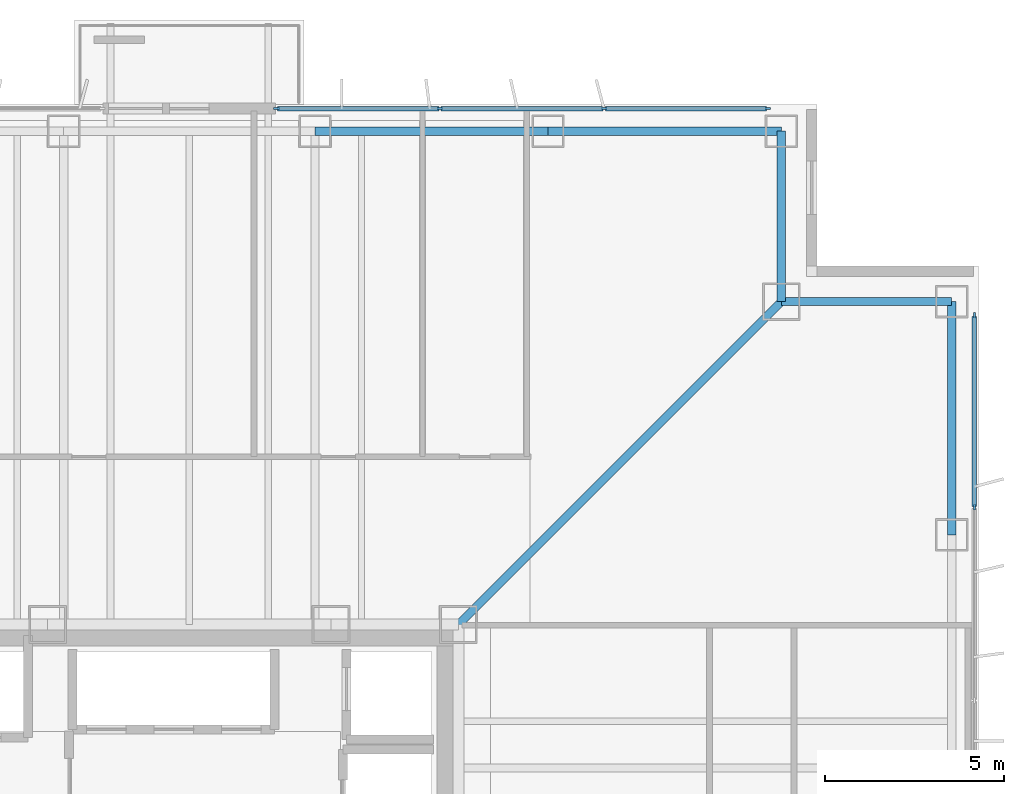
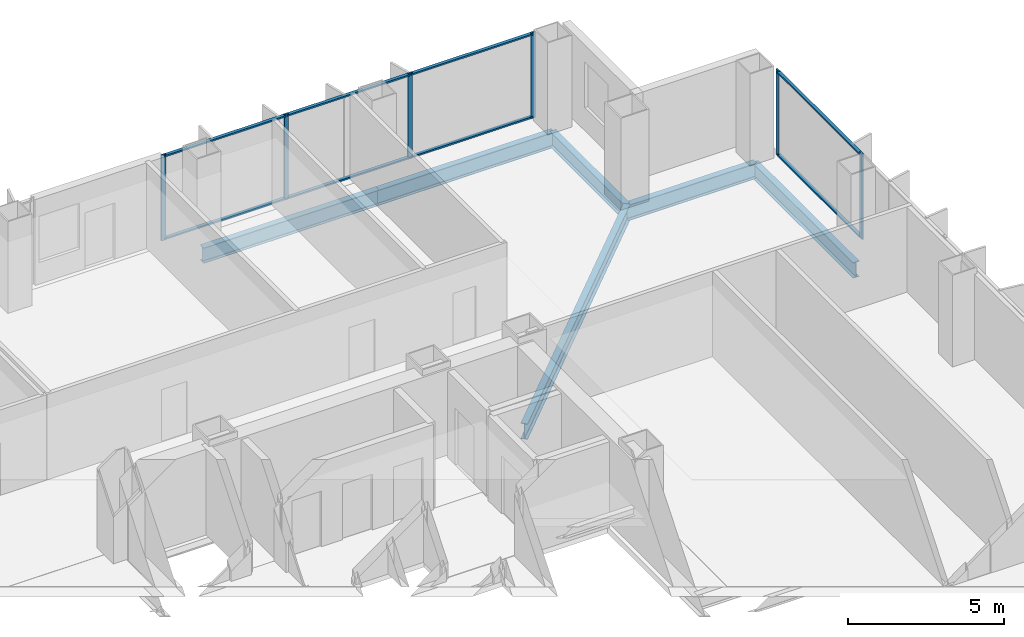
# One storey, part 8 of 15: 14 members, 6 beams, 2 elements without a shape of their own.
"""IFC4 building model written with IfcOpenShell, lengths in metres."""

from ifc_helpers import new_model, si_unit, direction, frame, origin, origin_2d, place, context, subcontext, project, spatial, rectangle, i_section, extrude, material, layer, layer_set, material_profile, profile_set, type_object, element, aggregate, save


model = new_model("IFC4")

# Units and contexts
model_context = context("Model", 3, precision=1e-05, world=origin(), true_north=direction((0.0, 1.0)))
body_context = subcontext(model_context, "Body", "Model", "MODEL_VIEW")
ifc_project = project(units=[si_unit("LENGTHUNIT", "METRE"), si_unit("AREAUNIT", "SQUARE_METRE"), si_unit("VOLUMEUNIT", "CUBIC_METRE"), si_unit("PLANEANGLEUNIT", "RADIAN"), si_unit("MASSUNIT", "GRAM", prefix="KILO")], contexts=[model_context])

# Site, building, storey
site_placement = place(None, origin())
site = spatial("IfcSite", under=ifc_project, at=site_placement, CompositionType="ELEMENT")
building_placement = place(site_placement, origin())
building = spatial("IfcBuilding", under=site, at=building_placement, Name="Trevonay Congress Spire", CompositionType="ELEMENT")
storey_placement = place(building_placement, frame((0.0, 0.0, 115.60009765625)))
storey = spatial("IfcBuildingStorey", under=building, at=storey_placement, Name="L29", CompositionType="ELEMENT", Elevation=115.60009765625)

# Beams
ifc_material_1 = material(Name="Steel ASTM A572 Grade 50", Category="steel")
ifc_material_profile_1 = material_profile(ifc_material_1, i_section(OverallWidth=0.22998046875, OverallDepth=0.616943359375, WebThickness=0.01318359375, FlangeThickness=0.022216796875, FilletRadius=0.01611328125, at=origin_2d()), Name="W610x140")
ifc_profile_set_1 = profile_set([ifc_material_profile_1], Name="Steel ASTM A572 Grade 50")
beam_type_1 = type_object("IfcBeamType", Name="BM-GIRD-W610X140", PredefinedType="BEAM", material=ifc_profile_set_1)
beam_placement = place(storey_placement, frame((7.5, 7.5, -0.548583984375), z_axis=(0.707106781187, 0.707106781187, 0.0), x_axis=(-0.707106781187, 0.707106781187, 0.0)))
element("IfcBeam", 1, at=beam_placement, inside=storey, type_object=beam_type_1, Name="L29 structural beam BM-L29-CDNE", PredefinedType="BEAM", context=body_context, shape_type="SweptSolid", body=[
    extrude(i_section(OverallWidth=0.22998046875, OverallDepth=0.616943359375, WebThickness=0.01318359375, FlangeThickness=0.022216796875, FilletRadius=0.01611328125, at=origin_2d()), origin(), (0.0, 0.0, 1.0), 12.72802734375),
])
ifc_material_profile_2 = material_profile(ifc_material_1, i_section(OverallWidth=0.22802734375, OverallDepth=0.60791015625, WebThickness=0.01123046875, FlangeThickness=0.017333984375, FilletRadius=0.01611328125, at=origin_2d()), Name="W610x113")
ifc_profile_set_2 = profile_set([ifc_material_profile_2], Name="Steel ASTM A572 Grade 50")
beam_type_2 = type_object("IfcBeamType", Name="BM-RING-W610X113", PredefinedType="BEAM", material=ifc_profile_set_2)
for number, where, z_axis, x_axis, name in (
    (2, (3.5, 21.25, -0.544189453125), (1.0, 0.0, 0.0), (0.0, 1.0, 0.0), "L29 structural beam BM-L29-PN4"),
    (3, (10.0, 21.25, -0.544189453125), (1.0, 0.0, 0.0), (0.0, 1.0, 0.0), "L29 structural beam BM-L29-PN5"),
    (4, (21.25, 10.0, -0.544189453125), (0.0, 1.0, 0.0), (-1.0, 0.0, 0.0), "L29 structural beam BM-L29-PE5"),
):
    element("IfcBeam", number, at=place(storey_placement, frame(where, z_axis=z_axis, x_axis=x_axis)), inside=storey, type_object=beam_type_2, Name=name, PredefinedType="BEAM", context=body_context, shape_type="SweptSolid", body=[
        extrude(i_section(OverallWidth=0.22802734375, OverallDepth=0.60791015625, WebThickness=0.01123046875, FlangeThickness=0.017333984375, FilletRadius=0.01611328125, at=origin_2d()), origin(), (0.0, 0.0, 1.0), 6.5),
    ])
for number, where, z_axis, x_axis, name in (
    (5, (16.5, 21.25, -0.544189453125), (0.0, -1.0, 0.0), (1.0, 0.0, 0.0), "L29 structural beam BM-L29-N1NE"),
    (6, (21.25, 16.5, -0.544189453125), (-1.0, 0.0, 0.0), (0.0, -1.0, 0.0), "L29 structural beam BM-L29-N2NE"),
):
    element("IfcBeam", number, at=place(storey_placement, frame(where, z_axis=z_axis, x_axis=x_axis)), inside=storey, type_object=beam_type_2, Name=name, PredefinedType="BEAM", context=body_context, shape_type="SweptSolid", body=[
        extrude(i_section(OverallWidth=0.22802734375, OverallDepth=0.60791015625, WebThickness=0.01123046875, FlangeThickness=0.017333984375, FilletRadius=0.01611328125, at=origin_2d()), origin(), (0.0, 0.0, 1.0), 4.75),
    ])

# Curtain wall, members
ifc_material_2 = material(Name="Pale Anodised Aluminium EN AW-6063-T6", Category="aluminium")
ifc_layer = layer(ifc_material_2, 0.175048828125, Name="Pale Anodised Aluminium EN AW-6063-T6")
ifc_layer_set = layer_set([ifc_layer], Name="Pale Anodised Aluminium EN AW-6063-T6")
curtain_wall_type = type_object("IfcCurtainWallType", Name="CW-SYS03-CONGRESS-PALE-METAL", PredefinedType="NOTDEFINED", material=ifc_layer_set)
curtain_wall_1_placement = place(storey_placement, origin())
curtain_wall_1 = element("IfcCurtainWall", 7, at=curtain_wall_1_placement, inside=storey, type_object=curtain_wall_type, Name="L29 NB unitised curtain wall", PredefinedType="NOTDEFINED")
ifc_material_profile_3 = material_profile(ifc_material_2, rectangle(XDim=0.06005859375, YDim=0.159912109375, at=origin_2d()), Name="CW-MULLION-160-ALUMINIUM")
ifc_profile_set_3 = profile_set([ifc_material_profile_3], Name="Pale Anodised Aluminium EN AW-6063-T6")
member_type_1 = type_object("IfcMemberType", Name="CW-MULLION-160-ALUMINIUM", PredefinedType="MULLION", material=ifc_profile_set_3)
member_1_placement = place(storey_placement, frame((2.429931640625, 21.8798828125, 0.0), z_axis=(0.0, 0.0, 1.0), x_axis=(0.0, 1.0, 0.0)))
member_1 = element("IfcMember", 8, at=member_1_placement, type_object=member_type_1, Name="CW03 mullion 1", PredefinedType="MULLION", context=body_context, shape_type="SweptSolid", body=[
    extrude(rectangle(XDim=0.06005859375, YDim=0.159912109375, at=origin_2d()), origin(), (0.0, 0.0, 1.0), 3.35986328125),
])
member_2_placement = place(storey_placement, frame((6.9833984375, 21.8798828125, 0.0), z_axis=(0.0, 0.0, 1.0), x_axis=(0.0, 1.0, 0.0)))
member_2 = element("IfcMember", 9, at=member_2_placement, type_object=member_type_1, Name="CW03 mullion 2", PredefinedType="MULLION", context=body_context, shape_type="SweptSolid", body=[
    extrude(rectangle(XDim=0.06005859375, YDim=0.159912109375, at=origin_2d()), origin(), (0.0, 0.0, 1.0), 3.35986328125),
])
member_3_placement = place(storey_placement, frame((11.566650390625, 21.8798828125, 0.0), z_axis=(0.0, 0.0, 1.0), x_axis=(0.0, 1.0, 0.0)))
member_3 = element("IfcMember", 10, at=member_3_placement, type_object=member_type_1, Name="CW03 mullion 3", PredefinedType="MULLION", context=body_context, shape_type="SweptSolid", body=[
    extrude(rectangle(XDim=0.06005859375, YDim=0.159912109375, at=origin_2d()), origin(), (0.0, 0.0, 1.0), 3.35986328125),
])
member_4_placement = place(storey_placement, frame((16.1201171875, 21.8798828125, 0.0), z_axis=(0.0, 0.0, 1.0), x_axis=(0.0, 1.0, 0.0)))
member_4 = element("IfcMember", 11, at=member_4_placement, type_object=member_type_1, Name="CW03 mullion 4", PredefinedType="MULLION", context=body_context, shape_type="SweptSolid", body=[
    extrude(rectangle(XDim=0.06005859375, YDim=0.159912109375, at=origin_2d()), origin(), (0.0, 0.0, 1.0), 3.35986328125),
])

curtain_wall_2_placement = place(storey_placement, origin())
curtain_wall_2 = element("IfcCurtainWall", 12, at=curtain_wall_2_placement, inside=storey, type_object=curtain_wall_type, Name="L29 E unitised curtain wall", PredefinedType="NOTDEFINED")
member_5_placement = place(storey_placement, frame((21.8798828125, 10.7666015625, 0.0), z_axis=(0.0, 0.0, 1.0), x_axis=(-1.0, 0.0, 0.0)))
member_5 = element("IfcMember", 13, at=member_5_placement, type_object=member_type_1, Name="CW03 mullion 6", PredefinedType="MULLION", context=body_context, shape_type="SweptSolid", body=[
    extrude(rectangle(XDim=0.06005859375, YDim=0.159912109375, at=origin_2d()), origin(), (0.0, 0.0, 1.0), 3.35986328125),
])
member_6_placement = place(storey_placement, frame((21.8798828125, 16.1201171875, 0.0), z_axis=(0.0, 0.0, 1.0), x_axis=(-1.0, 0.0, 0.0)))
member_6 = element("IfcMember", 14, at=member_6_placement, type_object=member_type_1, Name="CW03 mullion 7", PredefinedType="MULLION", context=body_context, shape_type="SweptSolid", body=[
    extrude(rectangle(XDim=0.06005859375, YDim=0.159912109375, at=origin_2d()), origin(), (0.0, 0.0, 1.0), 3.35986328125),
])

# Member
ifc_material_profile_4 = material_profile(ifc_material_2, rectangle(XDim=0.1201171875, YDim=0.06005859375, at=origin_2d()), Name="CW-TRANSOM-120-ALUMINIUM")
ifc_profile_set_4 = profile_set([ifc_material_profile_4], Name="Pale Anodised Aluminium EN AW-6063-T6")
member_type_2 = type_object("IfcMemberType", Name="CW-TRANSOM-120-ALUMINIUM", PredefinedType="USERDEFINED", material=ifc_profile_set_4)
member_7_placement = place(storey_placement, frame((2.4599609375, 21.8798828125, 0.059814453125), z_axis=(1.0, 0.0, 0.0), x_axis=(0.0, 1.0, 0.0)))
member_7 = element("IfcMember", 15, at=member_7_placement, type_object=member_type_2, Name="CW03 transom 1.1", ObjectType="TRANSOM", PredefinedType="USERDEFINED", context=body_context, shape_type="SweptSolid", body=[
    extrude(rectangle(XDim=0.1201171875, YDim=0.06005859375, at=origin_2d()), origin(), (0.0, 0.0, 1.0), 4.493408203125),
])

member_8_placement = place(storey_placement, frame((2.4599609375, 21.8798828125, 3.2998046875), z_axis=(1.0, 0.0, 0.0), x_axis=(0.0, 1.0, 0.0)))
member_8 = element("IfcMember", 16, at=member_8_placement, type_object=member_type_2, Name="CW03 transom 1.2", ObjectType="TRANSOM", PredefinedType="USERDEFINED", context=body_context, shape_type="SweptSolid", body=[
    extrude(rectangle(XDim=0.1201171875, YDim=0.06005859375, at=origin_2d()), origin(), (0.0, 0.0, 1.0), 4.493408203125),
])

member_9_placement = place(storey_placement, frame((7.013427734375, 21.8798828125, 0.059814453125), z_axis=(1.0, 0.0, 0.0), x_axis=(0.0, 1.0, 0.0)))
member_9 = element("IfcMember", 17, at=member_9_placement, type_object=member_type_2, Name="CW03 transom 2.1", ObjectType="TRANSOM", PredefinedType="USERDEFINED", context=body_context, shape_type="SweptSolid", body=[
    extrude(rectangle(XDim=0.1201171875, YDim=0.06005859375, at=origin_2d()), origin(), (0.0, 0.0, 1.0), 4.523193359375),
])

member_10_placement = place(storey_placement, frame((7.013427734375, 21.8798828125, 3.2998046875), z_axis=(1.0, 0.0, 0.0), x_axis=(0.0, 1.0, 0.0)))
member_10 = element("IfcMember", 18, at=member_10_placement, type_object=member_type_2, Name="CW03 transom 2.2", ObjectType="TRANSOM", PredefinedType="USERDEFINED", context=body_context, shape_type="SweptSolid", body=[
    extrude(rectangle(XDim=0.1201171875, YDim=0.06005859375, at=origin_2d()), origin(), (0.0, 0.0, 1.0), 4.523193359375),
])

member_11_placement = place(storey_placement, frame((11.5966796875, 21.8798828125, 0.059814453125), z_axis=(1.0, 0.0, 0.0), x_axis=(0.0, 1.0, 0.0)))
member_11 = element("IfcMember", 19, at=member_11_placement, type_object=member_type_2, Name="CW03 transom 3.1", ObjectType="TRANSOM", PredefinedType="USERDEFINED", context=body_context, shape_type="SweptSolid", body=[
    extrude(rectangle(XDim=0.1201171875, YDim=0.06005859375, at=origin_2d()), origin(), (0.0, 0.0, 1.0), 4.493408203125),
])

member_12_placement = place(storey_placement, frame((11.5966796875, 21.8798828125, 3.2998046875), z_axis=(1.0, 0.0, 0.0), x_axis=(0.0, 1.0, 0.0)))
member_12 = element("IfcMember", 20, at=member_12_placement, type_object=member_type_2, Name="CW03 transom 3.2", ObjectType="TRANSOM", PredefinedType="USERDEFINED", context=body_context, shape_type="SweptSolid", body=[
    extrude(rectangle(XDim=0.1201171875, YDim=0.06005859375, at=origin_2d()), origin(), (0.0, 0.0, 1.0), 4.493408203125),
])

aggregate(curtain_wall_1, [member_1, member_2, member_3, member_4, member_7, member_8, member_9, member_10, member_11, member_12])

member_13_placement = place(storey_placement, frame((21.8798828125, 10.796630859375, 0.059814453125), z_axis=(0.0, 1.0, 0.0), x_axis=(-1.0, 0.0, 0.0)))
member_13 = element("IfcMember", 21, at=member_13_placement, type_object=member_type_2, Name="CW03 transom 6.1", ObjectType="TRANSOM", PredefinedType="USERDEFINED", context=body_context, shape_type="SweptSolid", body=[
    extrude(rectangle(XDim=0.1201171875, YDim=0.06005859375, at=origin_2d()), origin(), (0.0, 0.0, 1.0), 5.29345703125),
])

member_14_placement = place(storey_placement, frame((21.8798828125, 10.796630859375, 3.2998046875), z_axis=(0.0, 1.0, 0.0), x_axis=(-1.0, 0.0, 0.0)))
member_14 = element("IfcMember", 22, at=member_14_placement, type_object=member_type_2, Name="CW03 transom 6.2", ObjectType="TRANSOM", PredefinedType="USERDEFINED", context=body_context, shape_type="SweptSolid", body=[
    extrude(rectangle(XDim=0.1201171875, YDim=0.06005859375, at=origin_2d()), origin(), (0.0, 0.0, 1.0), 5.29345703125),
])

aggregate(curtain_wall_2, [member_5, member_6, member_13, member_14])

save(model, "model.ifc")
